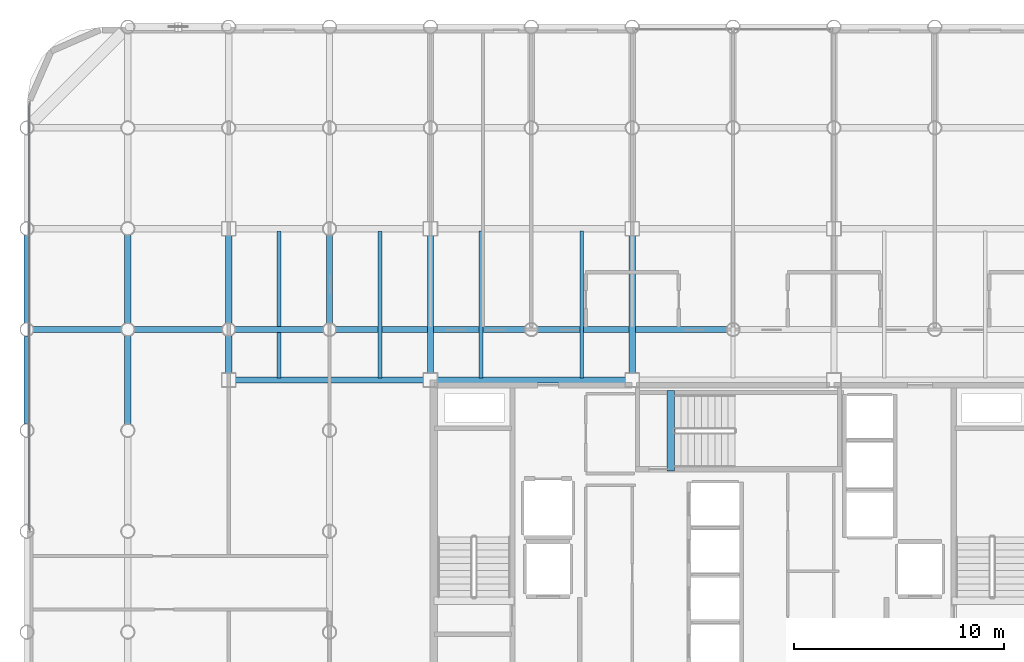
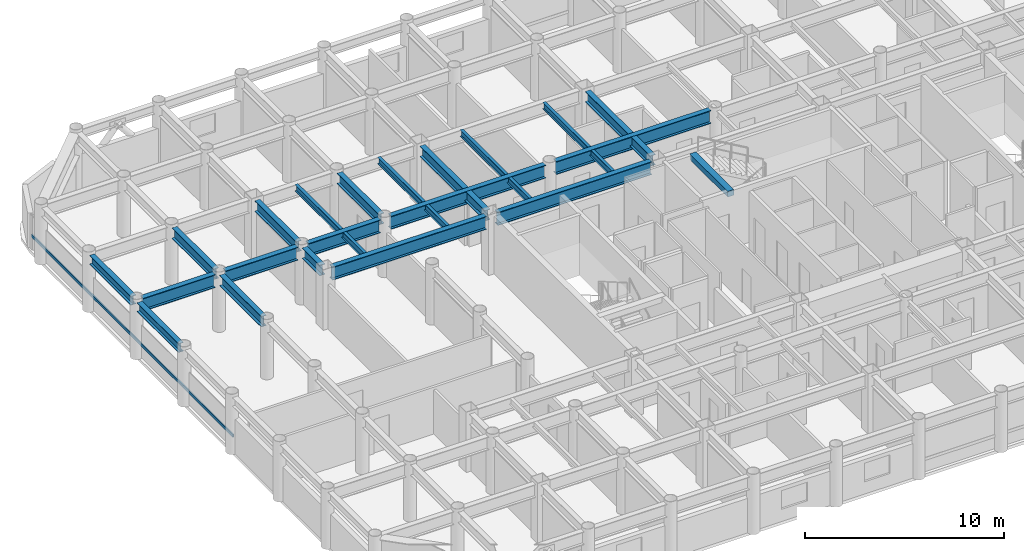
# One storey, part 5 of 20: 21 beams, 1 member, 1 element without a shape of its own.
"""IFC4 building model written with IfcOpenShell, lengths in metres."""

from ifc_helpers import new_model, si_unit, direction, frame, origin, origin_2d, place, context, subcontext, project, spatial, rectangle, hollow_rectangle, i_section, extrude, material, layer, layer_set, material_profile, profile_set, type_object, element, aggregate, save


model = new_model("IFC4")

# Units and contexts
model_context = context("Model", 3, precision=1e-05, world=origin(), true_north=direction((0.0, 1.0)))
body_context = subcontext(model_context, "Body", "Model", "MODEL_VIEW")
ifc_project = project(units=[si_unit("LENGTHUNIT", "METRE"), si_unit("AREAUNIT", "SQUARE_METRE"), si_unit("VOLUMEUNIT", "CUBIC_METRE"), si_unit("PLANEANGLEUNIT", "RADIAN"), si_unit("MASSUNIT", "GRAM", prefix="KILO")], contexts=[model_context])

# Site, building, storey
site_placement = place(None, origin())
site = spatial("IfcSite", under=ifc_project, at=site_placement, CompositionType="ELEMENT")
building_placement = place(site_placement, origin())
building = spatial("IfcBuilding", under=site, at=building_placement, Name="Kallvorn Hotel Tower", CompositionType="ELEMENT")
storey_placement = place(building_placement, frame((0.0, 0.0, 128.5)))
storey = spatial("IfcBuildingStorey", under=building, at=storey_placement, Name="L31", CompositionType="ELEMENT", Elevation=128.5)

# Beams
ifc_material_1 = material(Name="Structural steel S355JR", Category="steel")
ifc_material_profile_1 = material_profile(ifc_material_1, i_section(OverallWidth=0.300048828125, OverallDepth=0.550048828125, WebThickness=0.014892578125, FlangeThickness=0.029052734375, at=origin_2d()), Name="HE 550 B")
ifc_profile_set_1 = profile_set([ifc_material_profile_1], Name="Structural steel S355JR")
beam_type_1 = type_object("IfcBeamType", Name="BM_HE550B", PredefinedType="SPANDREL", material=ifc_profile_set_1)
beam_1_placement = place(storey_placement, frame((-33.60009765625, 5.1201171875, 3.2451171875), z_axis=(0.0, 1.0, 0.0), x_axis=(-1.0, 0.0, 0.0)))
element("IfcBeam", 1, at=beam_1_placement, inside=storey, type_object=beam_type_1, Name="L32 Perimeter Spandrel 178", PredefinedType="SPANDREL", context=body_context, shape_type="SweptSolid", body=[
    extrude(i_section(OverallWidth=0.300048828125, OverallDepth=0.550048828125, WebThickness=0.014892578125, FlangeThickness=0.029052734375, at=origin_2d()), origin(), (0.0, 0.0, 1.0), 4.159912109375),
])
beam_2_placement = place(storey_placement, frame((-33.60009765625, 9.919921875, 3.2451171875), z_axis=(0.0, 1.0, 0.0), x_axis=(-1.0, 0.0, 0.0)))
element("IfcBeam", 2, at=beam_2_placement, inside=storey, type_object=beam_type_1, Name="L32 Perimeter Spandrel 179", PredefinedType="SPANDREL", context=body_context, shape_type="SweptSolid", body=[
    extrude(i_section(OverallWidth=0.300048828125, OverallDepth=0.550048828125, WebThickness=0.014892578125, FlangeThickness=0.029052734375, at=origin_2d()), origin(), (0.0, 0.0, 1.0), 4.16015625),
])
ifc_material_2 = material(Name="Structural steel S355JR", Category="steel")
ifc_material_profile_2 = material_profile(ifc_material_2, i_section(OverallWidth=0.300048828125, OverallDepth=0.64990234375, WebThickness=0.01611328125, FlangeThickness=0.031005859375, at=origin_2d()), Name="HE 650 B")
ifc_profile_set_2 = profile_set([ifc_material_profile_2], Name="Structural steel S355JR")
beam_type_2 = type_object("IfcBeamType", Name="BM_HE650B", PredefinedType="BEAM", material=ifc_profile_set_2)
for number, where, z_axis, x_axis, name in (
    (3, (-28.800048828125, 5.10498046875, 3.195068359375), (0.0, 1.0, 0.0), (-1.0, 0.0, 0.0), "L32 Primary Y-Girder 78"),
    (4, (-28.800048828125, 9.905029296875, 3.195068359375), (0.0, 1.0, 0.0), (-1.0, 0.0, 0.0), "L32 Primary Y-Girder 79"),
):
    element("IfcBeam", number, at=place(storey_placement, frame(where, z_axis=z_axis, x_axis=x_axis)), inside=storey, type_object=beam_type_2, Name=name, PredefinedType="BEAM", context=body_context, shape_type="SweptSolid", body=[
        extrude(i_section(OverallWidth=0.300048828125, OverallDepth=0.64990234375, WebThickness=0.01611328125, FlangeThickness=0.031005859375, at=origin_2d()), origin(), (0.0, 0.0, 1.0), 4.18994140625),
    ])
beam_3_placement = place(storey_placement, frame((-24.0, 7.52490234375, 3.195068359375), z_axis=(0.0, 1.0, 0.0), x_axis=(-1.0, 0.0, 0.0)))
element("IfcBeam", 5, at=beam_3_placement, inside=storey, type_object=beam_type_2, Name="L32 Primary Y-Girder 85", PredefinedType="BEAM", context=body_context, shape_type="SweptSolid", body=[
    extrude(i_section(OverallWidth=0.300048828125, OverallDepth=0.64990234375, WebThickness=0.01611328125, FlangeThickness=0.031005859375, at=origin_2d()), origin(), (0.0, 0.0, 1.0), 1.77001953125),
])
beam_4_placement = place(storey_placement, frame((-24.0, 9.905029296875, 3.195068359375), z_axis=(0.0, 1.0, 0.0), x_axis=(-1.0, 0.0, 0.0)))
element("IfcBeam", 6, at=beam_4_placement, inside=storey, type_object=beam_type_2, Name="L32 Primary Y-Girder 86", PredefinedType="BEAM", context=body_context, shape_type="SweptSolid", body=[
    extrude(i_section(OverallWidth=0.300048828125, OverallDepth=0.64990234375, WebThickness=0.01611328125, FlangeThickness=0.031005859375, at=origin_2d()), origin(), (0.0, 0.0, 1.0), 4.169921875),
])
beam_5_placement = place(storey_placement, frame((-19.199951171875, 9.905029296875, 3.195068359375), z_axis=(0.0, 1.0, 0.0), x_axis=(-1.0, 0.0, 0.0)))
element("IfcBeam", 7, at=beam_5_placement, inside=storey, type_object=beam_type_2, Name="L32 Primary Y-Girder 95", PredefinedType="BEAM", context=body_context, shape_type="SweptSolid", body=[
    extrude(i_section(OverallWidth=0.300048828125, OverallDepth=0.64990234375, WebThickness=0.01611328125, FlangeThickness=0.031005859375, at=origin_2d()), origin(), (0.0, 0.0, 1.0), 4.18994140625),
])
for number, where, z_axis, x_axis, name in (
    (8, (-14.39990234375, 7.52490234375, 3.195068359375), (0.0, 1.0, 0.0), (-1.0, 0.0, 0.0), "L32 Primary Y-Girder 100"),
    (9, (-4.800048828125, 7.52490234375, 3.195068359375), (0.0, 1.0, 0.0), (-1.0, 0.0, 0.0), "L32 Primary Y-Girder 108"),
):
    element("IfcBeam", number, at=place(storey_placement, frame(where, z_axis=z_axis, x_axis=x_axis)), inside=storey, type_object=beam_type_2, Name=name, PredefinedType="BEAM", context=body_context, shape_type="SweptSolid", body=[
        extrude(i_section(OverallWidth=0.300048828125, OverallDepth=0.64990234375, WebThickness=0.01611328125, FlangeThickness=0.031005859375, at=origin_2d()), origin(), (0.0, 0.0, 1.0), 6.550048828125),
    ])
ifc_material_3 = material(Name="Structural steel S355JR", Category="steel")
ifc_material_profile_3 = material_profile(ifc_material_3, i_section(OverallWidth=0.300048828125, OverallDepth=0.800048828125, WebThickness=0.017578125, FlangeThickness=0.032958984375, at=origin_2d()), Name="HE 800 B")
ifc_profile_set_3 = profile_set([ifc_material_profile_3], Name="Structural steel S355JR")
beam_type_3 = type_object("IfcBeamType", Name="BM_HE800B", PredefinedType="BEAM", material=ifc_profile_set_3)
for number, where, z_axis, x_axis, name in (
    (10, (-23.675048828125, 7.199951171875, 3.1201171875), (1.0, 0.0, 0.0), (0.0, 1.0, 0.0), "L32 Primary X-Girder 36"),
    (11, (-14.074951171875, 7.199951171875, 3.1201171875), (1.0, 0.0, 0.0), (0.0, 1.0, 0.0), "L32 Primary X-Girder 37"),
):
    element("IfcBeam", number, at=place(storey_placement, frame(where, z_axis=z_axis, x_axis=x_axis)), inside=storey, type_object=beam_type_3, Name=name, PredefinedType="BEAM", context=body_context, shape_type="SweptSolid", body=[
        extrude(i_section(OverallWidth=0.300048828125, OverallDepth=0.800048828125, WebThickness=0.017578125, FlangeThickness=0.032958984375, at=origin_2d()), origin(), (0.0, 0.0, 1.0), 8.949951171875),
    ])
beam_6_placement = place(storey_placement, frame((-33.294921875, 9.60009765625, 3.1201171875), z_axis=(1.0, 0.0, 0.0), x_axis=(0.0, 1.0, 0.0)))
element("IfcBeam", 12, at=beam_6_placement, inside=storey, type_object=beam_type_3, Name="L32 Primary X-Girder 41", PredefinedType="BEAM", context=body_context, shape_type="SweptSolid", body=[
    extrude(i_section(OverallWidth=0.300048828125, OverallDepth=0.800048828125, WebThickness=0.017578125, FlangeThickness=0.032958984375, at=origin_2d()), origin(), (0.0, 0.0, 1.0), 4.18994140625),
])
for number, where, z_axis, x_axis, name in (
    (13, (-28.4951171875, 9.60009765625, 3.1201171875), (1.0, 0.0, 0.0), (0.0, 1.0, 0.0), "L32 Primary X-Girder 42"),
    (14, (-23.695068359375, 9.60009765625, 3.1201171875), (1.0, 0.0, 0.0), (0.0, 1.0, 0.0), "L32 Primary X-Girder 43"),
):
    element("IfcBeam", number, at=place(storey_placement, frame(where, z_axis=z_axis, x_axis=x_axis)), inside=storey, type_object=beam_type_3, Name=name, PredefinedType="BEAM", context=body_context, shape_type="SweptSolid", body=[
        extrude(i_section(OverallWidth=0.300048828125, OverallDepth=0.800048828125, WebThickness=0.017578125, FlangeThickness=0.032958984375, at=origin_2d()), origin(), (0.0, 0.0, 1.0), 4.190185546875),
    ])
for number, where, z_axis, x_axis, name in (
    (15, (-18.89501953125, 9.60009765625, 3.1201171875), (1.0, 0.0, 0.0), (0.0, 1.0, 0.0), "L32 Primary X-Girder 44"),
    (16, (-9.294921875, 9.60009765625, 3.1201171875), (1.0, 0.0, 0.0), (0.0, 1.0, 0.0), "L32 Primary X-Girder 45"),
):
    element("IfcBeam", number, at=place(storey_placement, frame(where, z_axis=z_axis, x_axis=x_axis)), inside=storey, type_object=beam_type_3, Name=name, PredefinedType="BEAM", context=body_context, shape_type="SweptSolid", body=[
        extrude(i_section(OverallWidth=0.300048828125, OverallDepth=0.800048828125, WebThickness=0.017578125, FlangeThickness=0.032958984375, at=origin_2d()), origin(), (0.0, 0.0, 1.0), 8.989990234375),
    ])
ifc_material_4 = material(Name="Structural steel S355JR", Category="steel")
ifc_material_profile_4 = material_profile(ifc_material_4, i_section(OverallWidth=0.179931640625, OverallDepth=0.39990234375, WebThickness=0.008544921875, FlangeThickness=0.013427734375, at=origin_2d()), Name="IPE 400")
ifc_profile_set_4 = profile_set([ifc_material_profile_4], Name="Structural steel S355JR")
beam_type_4 = type_object("IfcBeamType", Name="BM_IPE400", PredefinedType="JOIST", material=ifc_profile_set_4)
for number, where, z_axis, x_axis, name in (
    (17, (-21.60009765625, 7.300048828125, 3.320068359375), (0.0, 1.0, 0.0), (-1.0, 0.0, 0.0), "L32 Secondary Composite Joist 193"),
    (18, (-16.800048828125, 7.300048828125, 3.320068359375), (0.0, 1.0, 0.0), (-1.0, 0.0, 0.0), "L32 Secondary Composite Joist 195"),
    (19, (-12.0, 7.300048828125, 3.320068359375), (0.0, 1.0, 0.0), (-1.0, 0.0, 0.0), "L32 Secondary Composite Joist 197"),
    (20, (-7.199951171875, 7.300048828125, 3.320068359375), (0.0, 1.0, 0.0), (-1.0, 0.0, 0.0), "L32 Secondary Composite Joist 199"),
):
    element("IfcBeam", number, at=place(storey_placement, frame(where, z_axis=z_axis, x_axis=x_axis)), inside=storey, type_object=beam_type_4, Name=name, PredefinedType="JOIST", context=body_context, shape_type="SweptSolid", body=[
        extrude(i_section(OverallWidth=0.179931640625, OverallDepth=0.39990234375, WebThickness=0.008544921875, FlangeThickness=0.013427734375, at=origin_2d()), origin(), (0.0, 0.0, 1.0), 7.0),
    ])
ifc_material_5 = material(Name="Concrete C50/60", Category="concrete")
ifc_material_profile_5 = material_profile(ifc_material_5, rectangle(XDim=0.360107421875, YDim=0.340087890625, at=origin_2d()), Name="RC 360x340")
ifc_profile_set_5 = profile_set([ifc_material_profile_5], Name="Concrete C50/60")
beam_type_5 = type_object("IfcBeamType", Name="BM_RC_400x360", PredefinedType="BEAM", material=ifc_profile_set_5)
beam_7_placement = place(storey_placement, frame((-2.9599609375, 2.8701171875, 3.35009765625), z_axis=(0.0, 1.0, 0.0), x_axis=(-1.0, 0.0, 0.0)))
element("IfcBeam", 21, at=beam_7_placement, inside=storey, type_object=beam_type_5, Name="L32 Stair ST3 Arrival Trimmer Beam", PredefinedType="BEAM", context=body_context, shape_type="SweptSolid", body=[
    extrude(rectangle(XDim=0.360107421875, YDim=0.340087890625, at=origin_2d()), origin(), (0.0, 0.0, 1.0), 3.81982421875),
])

# Curtain wall, member
ifc_material_6 = material(Name="Thermally broken black-anodised aluminium AA 6063-T6", Category="aluminium")
ifc_layer = layer(ifc_material_6, 0.2099609375)
ifc_layer_set = layer_set([ifc_layer], Name="CW_SYS_4_HOTEL_MID")
curtain_wall_type = type_object("IfcCurtainWallType", Name="CW_SYS_4_HOTEL_MID", PredefinedType="USERDEFINED", material=ifc_layer_set)
curtain_wall_placement = place(storey_placement, origin())
curtain_wall = element("IfcCurtainWall", 22, at=curtain_wall_placement, inside=storey, type_object=curtain_wall_type, Name="L31 Dark-Glass Curtain Wall CW-L31-WN", ObjectType="UNITISED CURTAIN WALL", PredefinedType="USERDEFINED")
ifc_material_7 = material(Name="Thermally broken black-anodised aluminium AA 6063-T6", Category="aluminium")
ifc_material_profile_6 = material_profile(ifc_material_7, hollow_rectangle(XDim=0.070068359375, YDim=0.179931640625, WallThickness=0.00390625, at=origin_2d()), Name="TRN 180x70")
ifc_profile_set_6 = profile_set([ifc_material_profile_6], Name="Thermally broken black-anodised aluminium AA 6063-T6")
member_type = type_object("IfcMemberType", Name="CW_TRANSOM_180x70", PredefinedType="USERDEFINED", material=ifc_profile_set_6)
member_placement = place(storey_placement, frame((-33.47998046875, 0.06005859375, 0.85009765625), z_axis=(0.0, 1.0, 0.0), x_axis=(-1.0, 0.0, 0.0)))
member = element("IfcMember", 23, at=member_placement, type_object=member_type, Name="CW-L31-WN Transom 00M", ObjectType="TRANSOM", PredefinedType="USERDEFINED", context=body_context, shape_type="SweptSolid", body=[
    extrude(hollow_rectangle(XDim=0.070068359375, YDim=0.179931640625, WallThickness=0.00390625, at=origin_2d()), origin(), (0.0, 0.0, 1.0), 20.300048828125),
])
aggregate(curtain_wall, [member])

save(model, "model.ifc")
